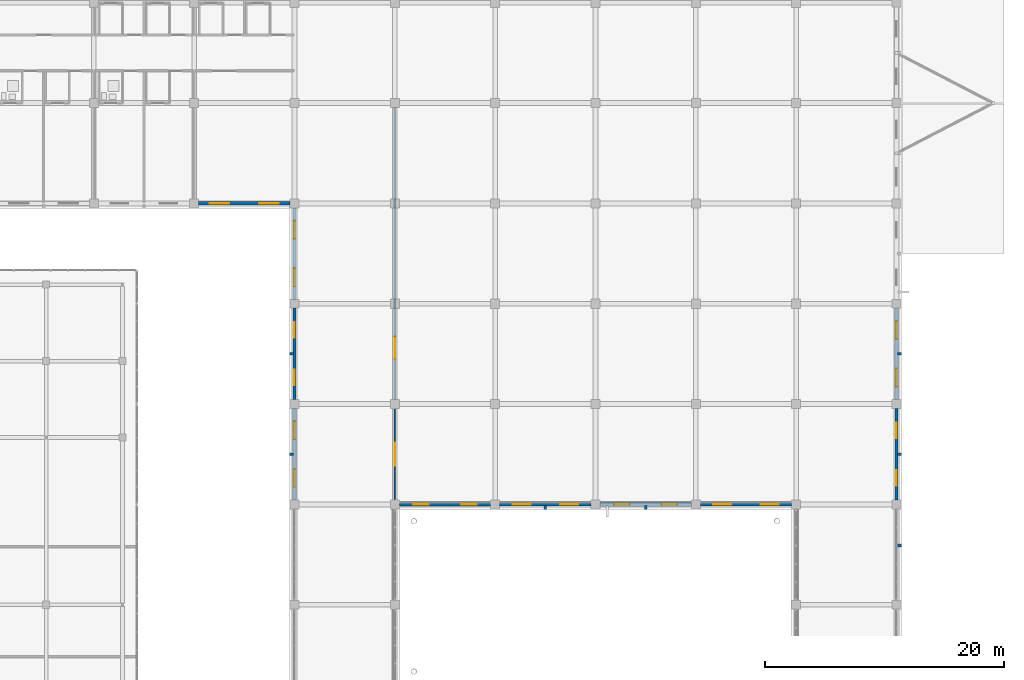
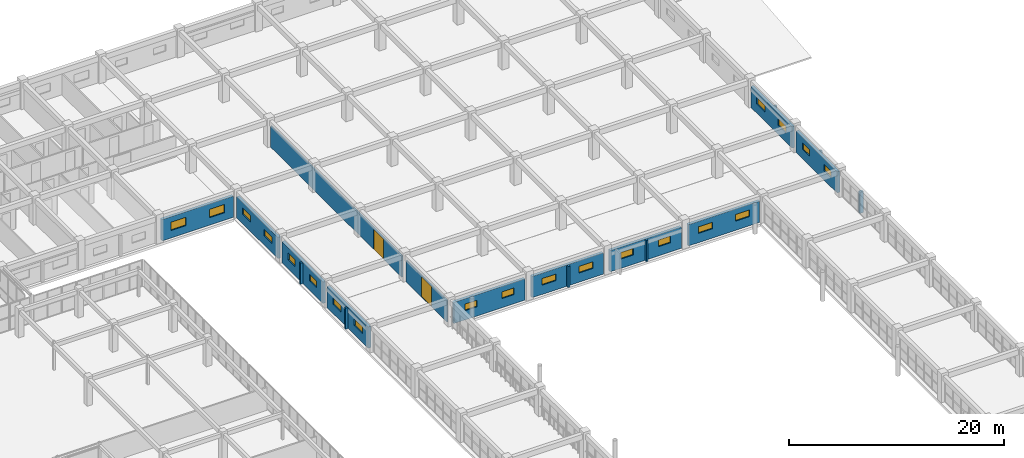
# One storey, part 183 of 200: 20 windows, 19 walls, 2 doors, 22 openings.
"""IFC4 building model written with IfcOpenShell, lengths in metres."""

import ifcopenshell
import ifcopenshell.guid

model = None  # the IFC model being written
_history = None  # IfcOwnerHistory: only IFC2X3 demands one
_inside = {}  # id of a spatial element -> (the spatial element, [elements in it])
_under = {}  # id of a project, library or spatial element -> (it, [spatial elements below it])
_declared = {}  # id of a project -> (the project, [libraries it declares])
_typed = {}  # id of a type object -> (the type object, [elements of that type])
_made_of = {}  # id of a material, layer set ... -> (it, [elements and type objects made of it])


def new_model(schema):
    """Start an empty IFC model of exactly this schema.

    Asked for "IFC4X3", IfcOpenShell would pick the latest addendum, in which some entities
    have other attributes; the version numbers below select the first issue.
    IFC2X3 requires an IfcOwnerHistory on every rooted entity: one is made here for all.
    """
    global model, _history
    if schema == "IFC4X3":
        model = ifcopenshell.file(schema_version=(4, 3, 0, 0))
    else:
        model = ifcopenshell.file(schema=schema)
    _inside.clear()
    _under.clear()
    _declared.clear()
    _typed.clear()
    _made_of.clear()
    _history = None
    if model.schema == "IFC2X3":
        org = make("IfcOrganization", Name="unknown")
        user = make(
            "IfcPersonAndOrganization",
            ThePerson=make("IfcPerson", FamilyName="unknown"),
            TheOrganization=org,
        )
        app = make(
            "IfcApplication",
            ApplicationDeveloper=org,
            Version="unknown",
            ApplicationFullName="unknown",
            ApplicationIdentifier="unknown",
        )
        _history = make(
            "IfcOwnerHistory",
            OwningUser=user,
            OwningApplication=app,
            ChangeAction="ADDED",
            CreationDate=0,
        )
    return model


def make(cls, **values):
    """One entity of the class cls with the attributes given. An attribute that is None is left unset."""
    return model.create_entity(
        cls, **{name: value for name, value in values.items() if value is not None}
    )


def rooted(cls, **values):
    """An entity with a GlobalId (a new one), such as an element, a storey or a relation."""
    return make(cls, GlobalId=ifcopenshell.guid.new(), OwnerHistory=_history, **values)


def si_unit(unit_type, name, prefix=None):
    """IfcSIUnit, for example si_unit("LENGTHUNIT", "METRE", prefix="MILLI")."""
    return make("IfcSIUnit", UnitType=unit_type, Prefix=prefix, Name=name)


def assignment(units):
    """IfcUnitAssignment: the units of a project."""
    return None if units is None else make("IfcUnitAssignment", Units=units)


def point(xyz):
    """IfcCartesianPoint."""
    return None if xyz is None else make("IfcCartesianPoint", Coordinates=xyz)


def direction(xyz):
    """IfcDirection."""
    return None if xyz is None else make("IfcDirection", DirectionRatios=xyz)


def frame(location, z_axis=None, x_axis=None):
    """IfcAxis2Placement3D, a coordinate frame: its origin and axes. An axis left out is left unset."""
    return make(
        "IfcAxis2Placement3D",
        Location=point(location),
        Axis=direction(z_axis),
        RefDirection=direction(x_axis),
    )


def frame_2d(location, x_axis=None):
    """IfcAxis2Placement2D, a coordinate frame in the plane: its origin and x axis."""
    return make(
        "IfcAxis2Placement2D", Location=point(location), RefDirection=direction(x_axis)
    )


def origin():
    """The frame at (0, 0, 0) with its axes left unset."""
    return frame((0.0, 0.0, 0.0))


def place(relative_to, where):
    """IfcLocalPlacement: puts the frame where relative to a parent placement (None: the world)."""
    return make(
        "IfcLocalPlacement", PlacementRelTo=relative_to, RelativePlacement=where
    )


def context(
    kind, dimensions, precision=None, world=None, true_north=None, identifier=None
):
    """IfcGeometricRepresentationContext, for example the 3D "Model" context."""
    return make(
        "IfcGeometricRepresentationContext",
        ContextIdentifier=identifier,
        ContextType=kind,
        CoordinateSpaceDimension=dimensions,
        Precision=precision,
        WorldCoordinateSystem=world,
        TrueNorth=true_north,
    )


def subcontext(parent, identifier, kind, view, scale=None):
    """IfcGeometricRepresentationSubContext, for example "Body" below "Model"."""
    return make(
        "IfcGeometricRepresentationSubContext",
        ContextIdentifier=identifier,
        ContextType=kind,
        ParentContext=parent,
        TargetScale=scale,
        TargetView=view,
    )


def project(units=None, contexts=None):
    """IfcProject with its units and contexts."""
    return rooted(
        "IfcProject",
        Name="project",
        RepresentationContexts=contexts,
        UnitsInContext=assignment(units),
    )


def spatial(cls, under=None, at=None, **own):
    """A site, building, storey or space (cls), placed at a placement, below another one or the project."""
    s = rooted(cls, ObjectPlacement=at, **own)
    if under is not None:
        _under.setdefault(under.id(), (under, []))[1].append(s)
    return s


def profile(cls, at=None, kind="AREA", **sizes):
    """A parametric profile (cls). Its sizes go by their IFC names, for example OverallWidth=200.0."""
    return make(cls, ProfileType=kind, Position=at, **sizes)


def rectangle(**sizes):
    """IfcRectangleProfileDef."""
    return profile("IfcRectangleProfileDef", **sizes)


def extrude(swept, where, along, depth):
    """IfcExtrudedAreaSolid: the profile swept, set in the frame where, extruded along a direction by depth."""
    return make(
        "IfcExtrudedAreaSolid",
        SweptArea=swept,
        Position=where,
        ExtrudedDirection=direction(along),
        Depth=depth,
    )


def shape(context_of_items, identifier, shape_type, items):
    """IfcShapeRepresentation: the items that make up one representation, for example the "Body"."""
    return make(
        "IfcShapeRepresentation",
        ContextOfItems=context_of_items,
        RepresentationIdentifier=identifier,
        RepresentationType=shape_type,
        Items=items,
    )


def material(Name=None, Category=None):
    """IfcMaterial."""
    return make("IfcMaterial", Name=Name, Category=Category)


def layer(
    of_material, thickness, ventilated=None, Name=None, Category=None, Priority=None
):
    """IfcMaterialLayer: one layer of a wall or slab, of a material (None: an air gap)."""
    return make(
        "IfcMaterialLayer",
        Material=of_material,
        LayerThickness=thickness,
        IsVentilated=ventilated,
        Name=Name,
        Category=Category,
        Priority=Priority,
    )


def layer_set(layers, Name=None):
    """IfcMaterialLayerSet."""
    return make("IfcMaterialLayerSet", MaterialLayers=layers, LayerSetName=Name)


def made_of(thing, what):
    """Note that an element or type object is made of a material, layer set ...; save() writes the relation."""
    if what is not None:
        _made_of.setdefault(what.id(), (what, []))[1].append(thing)
    return thing


def type_object(cls, material=None, **own):
    """A type object (cls), such as IfcWallType, which elements share."""
    return made_of(rooted(cls, **own), material)


def element(
    cls,
    number,
    at=None,
    inside=None,
    cuts=None,
    type_object=None,
    material=None,
    context=None,
    identifier="Body",
    shape_type=None,
    held_by="IfcProductDefinitionShape",
    body=None,
    shapes=None,
    **own,
):
    """One element of the class cls, such as IfcWall. Its Tag is "e" and its number.

    at: its placement. inside: the storey or other place that contains it. cuts: it is an
    opening in that element (IfcRelVoidsElement). A single representation is given by context,
    identifier, shape_type and body (its items); several are given by shapes. held_by: the class
    of the entity that holds the representations. save() writes the other relations.
    """
    e = rooted(cls, Tag="e%d" % number, ObjectPlacement=at, **own)
    if body is not None:
        shapes = [shape(context, identifier, shape_type, body)]
    if shapes is not None:
        e.Representation = make(held_by, Representations=shapes)
    if inside is not None:
        _inside.setdefault(inside.id(), (inside, []))[1].append(e)
    if cuts is not None:
        rooted(
            "IfcRelVoidsElement", RelatingBuildingElement=cuts, RelatedOpeningElement=e
        )
    if type_object is not None:
        _typed.setdefault(type_object.id(), (type_object, []))[1].append(e)
    return made_of(e, material)


def fill(opening, filler):
    """IfcRelFillsElement: the door or window that sits in an opening."""
    return rooted(
        "IfcRelFillsElement",
        RelatingOpeningElement=opening,
        RelatedBuildingElement=filler,
    )


def aggregate(whole, parts):
    """IfcRelAggregates: a whole, such as a stair, and the parts it consists of."""
    return rooted("IfcRelAggregates", RelatingObject=whole, RelatedObjects=parts)


def save(model, path):
    """Write the relations noted so far, then the file.

    IfcRelAggregates (storeys below a building ...), IfcRelContainedInSpatialStructure (elements
    in a storey), IfcRelDefinesByType, IfcRelAssociatesMaterial and IfcRelDeclares: one each for
    every whole, place, type object, material and project.
    """
    for whole, parts in _under.values():
        aggregate(whole, parts)
    for where, things in _inside.values():
        rooted(
            "IfcRelContainedInSpatialStructure",
            RelatedElements=things,
            RelatingStructure=where,
        )
    for kind, things in _typed.values():
        rooted("IfcRelDefinesByType", RelatedObjects=things, RelatingType=kind)
    for what, things in _made_of.values():
        rooted("IfcRelAssociatesMaterial", RelatedObjects=things, RelatingMaterial=what)
    for by, libraries in _declared.values():
        rooted("IfcRelDeclares", RelatingContext=by, RelatedDefinitions=libraries)
    model.write(path)


model = new_model("IFC4")

# Units and contexts
model_context = context("Model", 3, precision=1e-05, world=origin(), true_north=direction((0.0, 1.0)))
body_context = subcontext(model_context, "Body", "Model", "MODEL_VIEW")
ifc_project = project(units=[si_unit("LENGTHUNIT", "METRE"), si_unit("AREAUNIT", "SQUARE_METRE"), si_unit("VOLUMEUNIT", "CUBIC_METRE"), si_unit("PLANEANGLEUNIT", "RADIAN"), si_unit("MASSUNIT", "GRAM", prefix="KILO")], contexts=[model_context])

# Site, building, storey
site_placement = place(None, origin())
site = spatial("IfcSite", under=ifc_project, at=site_placement, CompositionType="ELEMENT")
building_placement = place(site_placement, origin())
building = spatial("IfcBuilding", under=site, at=building_placement, Name="Trelvath General Hospital", CompositionType="ELEMENT")
storey_placement = place(building_placement, frame((0.0, 0.0, 4.800048828125)))
storey = spatial("IfcBuildingStorey", under=building, at=storey_placement, Name="L01", CompositionType="ELEMENT", Elevation=4.800048828125)

# Walls
ifc_material_1 = material(Name="Precast concrete C40/50", Category="concrete")
ifc_layer_1 = layer(ifc_material_1, 0.199951171875)
ifc_layer_set_1 = layer_set([ifc_layer_1], Name="Precast concrete C40/50")
wall_type_1 = type_object("IfcWallType", Name="BriseSoleilRib 200", PredefinedType="ELEMENTEDWALL", material=ifc_layer_set_1)
for number, where, z_axis, x_axis, name in (
    (1, (134.324951171875, 71.39990234375, 0.0), (0.0, 0.0, 1.0), (-1.0, 0.0, 0.0), "Precast Concrete Brise-Soleil Rib Fin L01-130"),
    (2, (134.324951171875, 79.800048828125, 0.0), (0.0, 0.0, 1.0), (-1.0, 0.0, 0.0), "Precast Concrete Brise-Soleil Rib Fin L01-131"),
):
    element("IfcWall", number, at=place(storey_placement, frame(where, z_axis=z_axis, x_axis=x_axis)), inside=storey, type_object=wall_type_1, Name=name, PredefinedType="ELEMENTEDWALL", context=body_context, shape_type="SweptSolid", body=[
        extrude(rectangle(XDim=0.33984375, YDim=0.199951171875, at=frame_2d((0.169921875, 0.0))), origin(), (0.0, 0.0, 1.0), 2.39990234375),
    ])
for number, where, z_axis, x_axis, name in (
    (3, (155.39990234375, 67.125, 0.0), (0.0, 0.0, 1.0), (0.0, -1.0, 0.0), "Precast Concrete Brise-Soleil Rib Fin L01-137"),
    (4, (163.800048828125, 67.125, 0.0), (0.0, 0.0, 1.0), (0.0, -1.0, 0.0), "Precast Concrete Brise-Soleil Rib Fin L01-141"),
    (5, (184.875, 71.39990234375, 0.0), (0.0, 0.0, 1.0), (1.0, 0.0, 0.0), "Precast Concrete Brise-Soleil Rib Fin L01-152"),
    (6, (184.875, 79.800048828125, 0.0), (0.0, 0.0, 1.0), (1.0, 0.0, 0.0), "Precast Concrete Brise-Soleil Rib Fin L01-153"),
):
    element("IfcWall", number, at=place(storey_placement, frame(where, z_axis=z_axis, x_axis=x_axis)), inside=storey, type_object=wall_type_1, Name=name, PredefinedType="ELEMENTEDWALL", context=body_context, shape_type="SweptSolid", body=[
        extrude(rectangle(XDim=0.340087890625, YDim=0.199951171875, at=frame_2d((0.169921875, 0.0))), origin(), (0.0, 0.0, 1.0), 2.39990234375),
    ])

# Wall, opening, door
ifc_material_2 = material(Name="Gypsum acoustic steel-stud partition", Category="steel")
ifc_layer_2 = layer(ifc_material_2, 0.14990234375)
ifc_layer_set_2 = layer_set([ifc_layer_2], Name="Gypsum acoustic steel-stud partition")
wall_type_2 = type_object("IfcWallType", Name="ClinicalPartition 150", PredefinedType="PARTITIONING", material=ifc_layer_set_2)
wall_1_placement = place(storey_placement, frame((142.800048828125, 67.60009765625, 0.0), z_axis=(0.0, 0.0, 1.0), x_axis=(0.0, 1.0, 0.0)))
wall_1 = element("IfcWall", 7, at=wall_1_placement, inside=storey, type_object=wall_type_2, Name="Gallery L01 Partition L01-670", PredefinedType="PARTITIONING", context=body_context, shape_type="SweptSolid", body=[
    extrude(rectangle(XDim=7.599853515625, YDim=0.14990234375, at=frame_2d((3.7998046875, 0.0))), origin(), (0.0, 0.0, 1.0), 2.39990234375),
])
opening_1_placement = place(wall_1_placement, frame((2.85009765625, 0.0, 0.0)))
opening_1 = element("IfcOpeningElement", 8, at=opening_1_placement, cuts=wall_1, Name="Opening D-1-0620", PredefinedType="OPENING", context=body_context, shape_type="SweptSolid", body=[
    extrude(rectangle(XDim=1.89990234375, YDim=2.320068359375, at=frame_2d((0.949951171875, 1.16015625))), frame((0.0, 0.0849609375, 0.0), z_axis=(0.0, -1.0, 0.0), x_axis=(1.0, 0.0, 0.0)), (0.0, 0.0, 1.0), 0.169921875),
])
ifc_material_3 = material(Name="Thermally broken glazed aluminium pair", Category="aluminium")
door_type_1 = type_object("IfcDoorType", Name="Door BridgeEntry 1900x2400", OperationType="DOUBLE_SWING_LEFT", PredefinedType="DOOR", material=ifc_material_3)
door_1_placement = place(opening_1_placement, origin())
door_1 = element("IfcDoor", 9, at=door_1_placement, inside=storey, type_object=door_type_1, Name="Gallery L01 Door L01-620", OperationType="DOUBLE_SWING_LEFT", OverallHeight=2.320068359375, OverallWidth=1.89990234375, PredefinedType="DOOR", context=body_context, shape_type="SweptSolid", body=[
    extrude(rectangle(XDim=1.89990234375, YDim=2.320068359375, at=frame_2d((0.949951171875, 1.16015625))), frame((0.0, 0.02490234375, 0.0), z_axis=(0.0, -1.0, 0.0), x_axis=(1.0, 0.0, 0.0)), (0.0, 0.0, 1.0), 0.050048828125),
])
fill(opening_1, door_1)

wall_2_placement = place(storey_placement, frame((142.800048828125, 76.0, 0.0), z_axis=(0.0, 0.0, 1.0), x_axis=(0.0, 1.0, 0.0)))
wall_2 = element("IfcWall", 10, at=wall_2_placement, inside=storey, type_object=wall_type_2, Name="Urgent Care L01 Partition L01-671", PredefinedType="PARTITIONING", context=body_context, shape_type="SweptSolid", body=[
    extrude(rectangle(XDim=24.39990234375, YDim=0.14990234375, at=frame_2d((12.199951171875, 0.0))), origin(), (0.0, 0.0, 1.0), 2.39990234375),
])
opening_2_placement = place(wall_2_placement, frame((3.39990234375, 0.0, 0.0)))
opening_2 = element("IfcOpeningElement", 11, at=opening_2_placement, cuts=wall_2, Name="Opening D-1-0621", PredefinedType="OPENING", context=body_context, shape_type="SweptSolid", body=[
    extrude(rectangle(XDim=1.85009765625, YDim=2.300048828125, at=frame_2d((0.925048828125, 1.14990234375))), frame((0.0, 0.0849609375, 0.0), z_axis=(0.0, -1.0, 0.0), x_axis=(1.0, 0.0, 0.0)), (0.0, 0.0, 1.0), 0.169921875),
])
ifc_material_4 = material(Name="Fire-rated steel cross-corridor pair", Category="steel")
door_type_2 = type_object("IfcDoorType", Name="Door SmokeCross 1850x2300", OperationType="DOUBLE_SWING_LEFT", PredefinedType="DOOR", material=ifc_material_4)
door_2_placement = place(opening_2_placement, origin())
door_2 = element("IfcDoor", 12, at=door_2_placement, inside=storey, type_object=door_type_2, Name="Urgent Care L01 Door L01-621", OperationType="DOUBLE_SWING_LEFT", OverallHeight=2.300048828125, OverallWidth=1.85009765625, PredefinedType="DOOR", context=body_context, shape_type="SweptSolid", body=[
    extrude(rectangle(XDim=1.85009765625, YDim=2.300048828125, at=frame_2d((0.925048828125, 1.14990234375))), frame((0.0, 0.02490234375, 0.0), z_axis=(0.0, -1.0, 0.0), x_axis=(1.0, 0.0, 0.0)), (0.0, 0.0, 1.0), 0.050048828125),
])
fill(opening_2, door_2)

# Wall, openings, windows
ifc_material_5 = material(Name="Concrete C35/45", Category="concrete")
ifc_layer_3 = layer(ifc_material_5, 0.2900390625)
ifc_layer_set_3 = layer_set([ifc_layer_3], Name="Concrete C35/45")
wall_type_3 = type_object("IfcWallType", Name="ExtBushHammeredWall 290", PredefinedType="SOLIDWALL", material=ifc_layer_set_3)
wall_3_placement = place(storey_placement, frame((134.030029296875, 92.39990234375, 0.0), z_axis=(0.0, 0.0, 1.0), x_axis=(-1.0, 0.0, 0.0)))
wall_3 = element("IfcWall", 13, at=wall_3_placement, inside=storey, type_object=wall_type_3, Name="Exterior Concrete Wall L01-188", PredefinedType="SOLIDWALL", context=body_context, shape_type="SweptSolid", body=[
    extrude(rectangle(XDim=7.659912109375, YDim=0.2900390625, at=frame_2d((3.830078125, 0.0))), origin(), (0.0, 0.0, 1.0), 2.419921875),
])
opening_3_placement = place(wall_3_placement, frame((0.951904296875, 0.0, 0.85009765625)))
opening_3 = element("IfcOpeningElement", 14, at=opening_3_placement, cuts=wall_3, Name="Opening WN-1-277", PredefinedType="OPENING", context=body_context, shape_type="SweptSolid", body=[
    extrude(rectangle(XDim=1.6201171875, YDim=0.949951171875, at=frame_2d((0.81005859375, 0.47509765625))), frame((0.0, 0.155029296875, 0.0), z_axis=(0.0, -1.0, 0.0), x_axis=(1.0, 0.0, 0.0)), (0.0, 0.0, 1.0), 0.31005859375),
])
opening_4_placement = place(wall_3_placement, frame((5.088134765625, 0.0, 0.85009765625)))
opening_4 = element("IfcOpeningElement", 15, at=opening_4_placement, cuts=wall_3, Name="Opening WN-1-278", PredefinedType="OPENING", context=body_context, shape_type="SweptSolid", body=[
    extrude(rectangle(XDim=1.6201171875, YDim=0.949951171875, at=frame_2d((0.81005859375, 0.47509765625))), frame((0.0, 0.155029296875, 0.0), z_axis=(0.0, -1.0, 0.0), x_axis=(1.0, 0.0, 0.0)), (0.0, 0.0, 1.0), 0.31005859375),
])
ifc_material_6 = material(Name="Low-E laminated glass", Category="glass")
window_type_1 = type_object("IfcWindowType", Name="Window EmergencyClere 1620x950", PartitioningType="DOUBLE_PANEL_VERTICAL", PredefinedType="WINDOW", material=ifc_material_6)
window_1_placement = place(opening_3_placement, origin())
window_1 = element("IfcWindow", 16, at=window_1_placement, inside=storey, type_object=window_type_1, Name="Solar Reveal Window L01-277", OverallHeight=0.949951171875, OverallWidth=1.6201171875, PartitioningType="SINGLE_PANEL", PredefinedType="WINDOW", context=body_context, shape_type="SweptSolid", body=[
    extrude(rectangle(XDim=1.6201171875, YDim=0.949951171875, at=frame_2d((0.81005859375, 0.47509765625))), frame((0.0, 0.030029296875, 0.0), z_axis=(0.0, -1.0, 0.0), x_axis=(1.0, 0.0, 0.0)), (0.0, 0.0, 1.0), 0.06005859375),
])
fill(opening_3, window_1)
window_2_placement = place(opening_4_placement, origin())
window_2 = element("IfcWindow", 17, at=window_2_placement, inside=storey, type_object=window_type_1, Name="Solar Reveal Window L01-278", OverallHeight=0.949951171875, OverallWidth=1.6201171875, PartitioningType="SINGLE_PANEL", PredefinedType="WINDOW", context=body_context, shape_type="SweptSolid", body=[
    extrude(rectangle(XDim=1.6201171875, YDim=0.949951171875, at=frame_2d((0.81005859375, 0.47509765625))), frame((0.0, 0.030029296875, 0.0), z_axis=(0.0, -1.0, 0.0), x_axis=(1.0, 0.0, 0.0)), (0.0, 0.0, 1.0), 0.06005859375),
])
fill(opening_4, window_2)

wall_4_placement = place(storey_placement, frame((134.39990234375, 67.570068359375, 0.0), z_axis=(0.0, 0.0, 1.0), x_axis=(0.0, 1.0, 0.0)))
wall_4 = element("IfcWall", 18, at=wall_4_placement, inside=storey, type_object=wall_type_3, Name="Exterior Concrete Wall L01-191", PredefinedType="SOLIDWALL", context=body_context, shape_type="SweptSolid", body=[
    extrude(rectangle(XDim=7.659912109375, YDim=0.2900390625, at=frame_2d((3.830078125, 0.0))), origin(), (0.0, 0.0, 1.0), 2.419921875),
])
opening_5_placement = place(wall_4_placement, frame((1.08837890625, 0.0, 1.050048828125)))
opening_5 = element("IfcOpeningElement", 19, at=opening_5_placement, cuts=wall_4, Name="Opening WN-1-283", PredefinedType="OPENING", context=body_context, shape_type="SweptSolid", body=[
    extrude(rectangle(XDim=1.5, YDim=0.75, at=frame_2d((0.75, 0.375))), frame((0.0, 0.155029296875, 0.0), z_axis=(0.0, -1.0, 0.0), x_axis=(1.0, 0.0, 0.0)), (0.0, 0.0, 1.0), 0.31005859375),
])
opening_6_placement = place(wall_4_placement, frame((5.071533203125, 0.0, 1.050048828125)))
opening_6 = element("IfcOpeningElement", 20, at=opening_6_placement, cuts=wall_4, Name="Opening WN-1-284", PredefinedType="OPENING", context=body_context, shape_type="SweptSolid", body=[
    extrude(rectangle(XDim=1.5, YDim=0.75, at=frame_2d((0.75, 0.375))), frame((0.0, 0.155029296875, 0.0), z_axis=(0.0, -1.0, 0.0), x_axis=(1.0, 0.0, 0.0)), (0.0, 0.0, 1.0), 0.31005859375),
])
ifc_material_7 = material(Name="Low-E laminated glass", Category="glass")
window_type_2 = type_object("IfcWindowType", Name="Window InterstitialVent 1500x750", PartitioningType="DOUBLE_PANEL_HORIZONTAL", PredefinedType="WINDOW", material=ifc_material_7)
window_3_placement = place(opening_5_placement, origin())
window_3 = element("IfcWindow", 21, at=window_3_placement, inside=storey, type_object=window_type_2, Name="Solar Reveal Window L01-283", OverallHeight=0.75, OverallWidth=1.5, PartitioningType="SINGLE_PANEL", PredefinedType="WINDOW", context=body_context, shape_type="SweptSolid", body=[
    extrude(rectangle(XDim=1.5, YDim=0.75, at=frame_2d((0.75, 0.375))), frame((0.0, 0.030029296875, 0.0), z_axis=(0.0, -1.0, 0.0), x_axis=(1.0, 0.0, 0.0)), (0.0, 0.0, 1.0), 0.06005859375),
])
fill(opening_5, window_3)
window_4_placement = place(opening_6_placement, origin())
window_4 = element("IfcWindow", 22, at=window_4_placement, inside=storey, type_object=window_type_2, Name="Solar Reveal Window L01-284", OverallHeight=0.75, OverallWidth=1.5, PartitioningType="SINGLE_PANEL", PredefinedType="WINDOW", context=body_context, shape_type="SweptSolid", body=[
    extrude(rectangle(XDim=1.5, YDim=0.75, at=frame_2d((0.75, 0.375))), frame((0.0, 0.030029296875, 0.0), z_axis=(0.0, -1.0, 0.0), x_axis=(1.0, 0.0, 0.0)), (0.0, 0.0, 1.0), 0.06005859375),
])
fill(opening_6, window_4)

wall_5_placement = place(storey_placement, frame((134.39990234375, 75.969970703125, 0.0), z_axis=(0.0, 0.0, 1.0), x_axis=(0.0, 1.0, 0.0)))
wall_5 = element("IfcWall", 23, at=wall_5_placement, inside=storey, type_object=wall_type_3, Name="Exterior Concrete Wall L01-192", PredefinedType="SOLIDWALL", context=body_context, shape_type="SweptSolid", body=[
    extrude(rectangle(XDim=7.659912109375, YDim=0.2900390625, at=frame_2d((3.830078125, 0.0))), origin(), (0.0, 0.0, 1.0), 2.419921875),
])
opening_7_placement = place(wall_5_placement, frame((1.1884765625, 0.0, 1.050048828125)))
opening_7 = element("IfcOpeningElement", 24, at=opening_7_placement, cuts=wall_5, Name="Opening WN-1-285", PredefinedType="OPENING", context=body_context, shape_type="SweptSolid", body=[
    extrude(rectangle(XDim=1.300048828125, YDim=0.75, at=frame_2d((0.64990234375, 0.375))), frame((0.0, 0.155029296875, 0.0), z_axis=(0.0, -1.0, 0.0), x_axis=(1.0, 0.0, 0.0)), (0.0, 0.0, 1.0), 0.31005859375),
])
opening_8_placement = place(wall_5_placement, frame((5.171630859375, 0.0, 1.050048828125)))
opening_8 = element("IfcOpeningElement", 25, at=opening_8_placement, cuts=wall_5, Name="Opening WN-1-286", PredefinedType="OPENING", context=body_context, shape_type="SweptSolid", body=[
    extrude(rectangle(XDim=1.300048828125, YDim=0.75, at=frame_2d((0.64990234375, 0.375))), frame((0.0, 0.155029296875, 0.0), z_axis=(0.0, -1.0, 0.0), x_axis=(1.0, 0.0, 0.0)), (0.0, 0.0, 1.0), 0.31005859375),
])
ifc_material_8 = material(Name="Low-E laminated glass", Category="glass")
window_type_3 = type_object("IfcWindowType", Name="Window InterstitialVent 1300x750", PartitioningType="DOUBLE_PANEL_HORIZONTAL", PredefinedType="WINDOW", material=ifc_material_8)
window_5_placement = place(opening_7_placement, origin())
window_5 = element("IfcWindow", 26, at=window_5_placement, inside=storey, type_object=window_type_3, Name="Solar Reveal Window L01-285", OverallHeight=0.75, OverallWidth=1.300048828125, PartitioningType="SINGLE_PANEL", PredefinedType="WINDOW", context=body_context, shape_type="SweptSolid", body=[
    extrude(rectangle(XDim=1.300048828125, YDim=0.75, at=frame_2d((0.64990234375, 0.375))), frame((0.0, 0.030029296875, 0.0), z_axis=(0.0, -1.0, 0.0), x_axis=(1.0, 0.0, 0.0)), (0.0, 0.0, 1.0), 0.06005859375),
])
fill(opening_7, window_5)
window_6_placement = place(opening_8_placement, origin())
window_6 = element("IfcWindow", 27, at=window_6_placement, inside=storey, type_object=window_type_3, Name="Solar Reveal Window L01-286", OverallHeight=0.75, OverallWidth=1.300048828125, PartitioningType="SINGLE_PANEL", PredefinedType="WINDOW", context=body_context, shape_type="SweptSolid", body=[
    extrude(rectangle(XDim=1.300048828125, YDim=0.75, at=frame_2d((0.64990234375, 0.375))), frame((0.0, 0.030029296875, 0.0), z_axis=(0.0, -1.0, 0.0), x_axis=(1.0, 0.0, 0.0)), (0.0, 0.0, 1.0), 0.06005859375),
])
fill(opening_8, window_6)

wall_6_placement = place(storey_placement, frame((134.39990234375, 84.3701171875, 0.0), z_axis=(0.0, 0.0, 1.0), x_axis=(0.0, 1.0, 0.0)))
wall_6 = element("IfcWall", 28, at=wall_6_placement, inside=storey, type_object=wall_type_3, Name="Exterior Concrete Wall L01-193", PredefinedType="SOLIDWALL", context=body_context, shape_type="SweptSolid", body=[
    extrude(rectangle(XDim=7.659912109375, YDim=0.2900390625, at=frame_2d((3.830078125, 0.0))), origin(), (0.0, 0.0, 1.0), 2.419921875),
])
opening_9_placement = place(wall_6_placement, frame((1.08837890625, 0.0, 1.050048828125)))
opening_9 = element("IfcOpeningElement", 29, at=opening_9_placement, cuts=wall_6, Name="Opening WN-1-287", PredefinedType="OPENING", context=body_context, shape_type="SweptSolid", body=[
    extrude(rectangle(XDim=1.5, YDim=0.75, at=frame_2d((0.75, 0.375))), frame((0.0, 0.155029296875, 0.0), z_axis=(0.0, -1.0, 0.0), x_axis=(1.0, 0.0, 0.0)), (0.0, 0.0, 1.0), 0.31005859375),
])
opening_10_placement = place(wall_6_placement, frame((5.071533203125, 0.0, 1.050048828125)))
opening_10 = element("IfcOpeningElement", 30, at=opening_10_placement, cuts=wall_6, Name="Opening WN-1-288", PredefinedType="OPENING", context=body_context, shape_type="SweptSolid", body=[
    extrude(rectangle(XDim=1.5, YDim=0.75, at=frame_2d((0.75, 0.375))), frame((0.0, 0.155029296875, 0.0), z_axis=(0.0, -1.0, 0.0), x_axis=(1.0, 0.0, 0.0)), (0.0, 0.0, 1.0), 0.31005859375),
])
window_7_placement = place(opening_9_placement, origin())
window_7 = element("IfcWindow", 31, at=window_7_placement, inside=storey, type_object=window_type_2, Name="Solar Reveal Window L01-287", OverallHeight=0.75, OverallWidth=1.5, PartitioningType="SINGLE_PANEL", PredefinedType="WINDOW", context=body_context, shape_type="SweptSolid", body=[
    extrude(rectangle(XDim=1.5, YDim=0.75, at=frame_2d((0.75, 0.375))), frame((0.0, 0.030029296875, 0.0), z_axis=(0.0, -1.0, 0.0), x_axis=(1.0, 0.0, 0.0)), (0.0, 0.0, 1.0), 0.06005859375),
])
fill(opening_9, window_7)
window_8_placement = place(opening_10_placement, origin())
window_8 = element("IfcWindow", 32, at=window_8_placement, inside=storey, type_object=window_type_2, Name="Solar Reveal Window L01-288", OverallHeight=0.75, OverallWidth=1.5, PartitioningType="SINGLE_PANEL", PredefinedType="WINDOW", context=body_context, shape_type="SweptSolid", body=[
    extrude(rectangle(XDim=1.5, YDim=0.75, at=frame_2d((0.75, 0.375))), frame((0.0, 0.030029296875, 0.0), z_axis=(0.0, -1.0, 0.0), x_axis=(1.0, 0.0, 0.0)), (0.0, 0.0, 1.0), 0.06005859375),
])
fill(opening_10, window_8)

wall_7_placement = place(storey_placement, frame((150.830078125, 67.199951171875, 0.0), z_axis=(0.0, 0.0, 1.0), x_axis=(-1.0, 0.0, 0.0)))
wall_7 = element("IfcWall", 33, at=wall_7_placement, inside=storey, type_object=wall_type_3, Name="Exterior Concrete Wall L01-197", PredefinedType="SOLIDWALL", context=body_context, shape_type="SweptSolid", body=[
    extrude(rectangle(XDim=7.66015625, YDim=0.2900390625, at=frame_2d((3.830078125, 0.0))), origin(), (0.0, 0.0, 1.0), 2.419921875),
])
opening_11_placement = place(wall_7_placement, frame((1.1884765625, 0.0, 1.050048828125)))
opening_11 = element("IfcOpeningElement", 34, at=opening_11_placement, cuts=wall_7, Name="Opening WN-1-295", PredefinedType="OPENING", context=body_context, shape_type="SweptSolid", body=[
    extrude(rectangle(XDim=1.300048828125, YDim=0.75, at=frame_2d((0.64990234375, 0.375))), frame((0.0, 0.155029296875, 0.0), z_axis=(0.0, -1.0, 0.0), x_axis=(1.0, 0.0, 0.0)), (0.0, 0.0, 1.0), 0.31005859375),
])
opening_12_placement = place(wall_7_placement, frame((5.171630859375, 0.0, 1.050048828125)))
opening_12 = element("IfcOpeningElement", 35, at=opening_12_placement, cuts=wall_7, Name="Opening WN-1-296", PredefinedType="OPENING", context=body_context, shape_type="SweptSolid", body=[
    extrude(rectangle(XDim=1.300048828125, YDim=0.75, at=frame_2d((0.64990234375, 0.375))), frame((0.0, 0.155029296875, 0.0), z_axis=(0.0, -1.0, 0.0), x_axis=(1.0, 0.0, 0.0)), (0.0, 0.0, 1.0), 0.31005859375),
])
window_9_placement = place(opening_11_placement, origin())
window_9 = element("IfcWindow", 36, at=window_9_placement, inside=storey, type_object=window_type_3, Name="Solar Reveal Window L01-295", OverallHeight=0.75, OverallWidth=1.300048828125, PartitioningType="SINGLE_PANEL", PredefinedType="WINDOW", context=body_context, shape_type="SweptSolid", body=[
    extrude(rectangle(XDim=1.300048828125, YDim=0.75, at=frame_2d((0.64990234375, 0.375))), frame((0.0, 0.030029296875, 0.0), z_axis=(0.0, -1.0, 0.0), x_axis=(1.0, 0.0, 0.0)), (0.0, 0.0, 1.0), 0.06005859375),
])
fill(opening_11, window_9)
window_10_placement = place(opening_12_placement, origin())
window_10 = element("IfcWindow", 37, at=window_10_placement, inside=storey, type_object=window_type_3, Name="Solar Reveal Window L01-296", OverallHeight=0.75, OverallWidth=1.300048828125, PartitioningType="SINGLE_PANEL", PredefinedType="WINDOW", context=body_context, shape_type="SweptSolid", body=[
    extrude(rectangle(XDim=1.300048828125, YDim=0.75, at=frame_2d((0.64990234375, 0.375))), frame((0.0, 0.030029296875, 0.0), z_axis=(0.0, -1.0, 0.0), x_axis=(1.0, 0.0, 0.0)), (0.0, 0.0, 1.0), 0.06005859375),
])
fill(opening_12, window_10)

wall_8_placement = place(storey_placement, frame((159.22998046875, 67.199951171875, 0.0), z_axis=(0.0, 0.0, 1.0), x_axis=(-1.0, 0.0, 0.0)))
wall_8 = element("IfcWall", 38, at=wall_8_placement, inside=storey, type_object=wall_type_3, Name="Exterior Concrete Wall L01-201", PredefinedType="SOLIDWALL", context=body_context, shape_type="SweptSolid", body=[
    extrude(rectangle(XDim=7.659912109375, YDim=0.2900390625, at=frame_2d((3.830078125, 0.0))), origin(), (0.0, 0.0, 1.0), 2.419921875),
])
opening_13_placement = place(wall_8_placement, frame((1.08837890625, 0.0, 1.050048828125)))
opening_13 = element("IfcOpeningElement", 39, at=opening_13_placement, cuts=wall_8, Name="Opening WN-1-303", PredefinedType="OPENING", context=body_context, shape_type="SweptSolid", body=[
    extrude(rectangle(XDim=1.5, YDim=0.75, at=frame_2d((0.75, 0.375))), frame((0.0, 0.155029296875, 0.0), z_axis=(0.0, -1.0, 0.0), x_axis=(1.0, 0.0, 0.0)), (0.0, 0.0, 1.0), 0.31005859375),
])
opening_14_placement = place(wall_8_placement, frame((5.071533203125, 0.0, 1.050048828125)))
opening_14 = element("IfcOpeningElement", 40, at=opening_14_placement, cuts=wall_8, Name="Opening WN-1-304", PredefinedType="OPENING", context=body_context, shape_type="SweptSolid", body=[
    extrude(rectangle(XDim=1.5, YDim=0.75, at=frame_2d((0.75, 0.375))), frame((0.0, 0.155029296875, 0.0), z_axis=(0.0, -1.0, 0.0), x_axis=(1.0, 0.0, 0.0)), (0.0, 0.0, 1.0), 0.31005859375),
])
window_11_placement = place(opening_13_placement, origin())
window_11 = element("IfcWindow", 41, at=window_11_placement, inside=storey, type_object=window_type_2, Name="Solar Reveal Window L01-303", OverallHeight=0.75, OverallWidth=1.5, PartitioningType="SINGLE_PANEL", PredefinedType="WINDOW", context=body_context, shape_type="SweptSolid", body=[
    extrude(rectangle(XDim=1.5, YDim=0.75, at=frame_2d((0.75, 0.375))), frame((0.0, 0.030029296875, 0.0), z_axis=(0.0, -1.0, 0.0), x_axis=(1.0, 0.0, 0.0)), (0.0, 0.0, 1.0), 0.06005859375),
])
fill(opening_13, window_11)
window_12_placement = place(opening_14_placement, origin())
window_12 = element("IfcWindow", 42, at=window_12_placement, inside=storey, type_object=window_type_2, Name="Solar Reveal Window L01-304", OverallHeight=0.75, OverallWidth=1.5, PartitioningType="SINGLE_PANEL", PredefinedType="WINDOW", context=body_context, shape_type="SweptSolid", body=[
    extrude(rectangle(XDim=1.5, YDim=0.75, at=frame_2d((0.75, 0.375))), frame((0.0, 0.030029296875, 0.0), z_axis=(0.0, -1.0, 0.0), x_axis=(1.0, 0.0, 0.0)), (0.0, 0.0, 1.0), 0.06005859375),
])
fill(opening_14, window_12)

wall_9_placement = place(storey_placement, frame((167.6298828125, 67.199951171875, 0.0), z_axis=(0.0, 0.0, 1.0), x_axis=(-1.0, 0.0, 0.0)))
wall_9 = element("IfcWall", 43, at=wall_9_placement, inside=storey, type_object=wall_type_3, Name="Exterior Concrete Wall L01-205", PredefinedType="SOLIDWALL", context=body_context, shape_type="SweptSolid", body=[
    extrude(rectangle(XDim=7.659912109375, YDim=0.2900390625, at=frame_2d((3.830078125, 0.0))), origin(), (0.0, 0.0, 1.0), 2.419921875),
])
opening_15_placement = place(wall_9_placement, frame((1.1884765625, 0.0, 1.050048828125)))
opening_15 = element("IfcOpeningElement", 44, at=opening_15_placement, cuts=wall_9, Name="Opening WN-1-311", PredefinedType="OPENING", context=body_context, shape_type="SweptSolid", body=[
    extrude(rectangle(XDim=1.300048828125, YDim=0.75, at=frame_2d((0.64990234375, 0.375))), frame((0.0, 0.155029296875, 0.0), z_axis=(0.0, -1.0, 0.0), x_axis=(1.0, 0.0, 0.0)), (0.0, 0.0, 1.0), 0.31005859375),
])
opening_16_placement = place(wall_9_placement, frame((5.171630859375, 0.0, 1.050048828125)))
opening_16 = element("IfcOpeningElement", 45, at=opening_16_placement, cuts=wall_9, Name="Opening WN-1-312", PredefinedType="OPENING", context=body_context, shape_type="SweptSolid", body=[
    extrude(rectangle(XDim=1.300048828125, YDim=0.75, at=frame_2d((0.64990234375, 0.375))), frame((0.0, 0.155029296875, 0.0), z_axis=(0.0, -1.0, 0.0), x_axis=(1.0, 0.0, 0.0)), (0.0, 0.0, 1.0), 0.31005859375),
])
window_13_placement = place(opening_15_placement, origin())
window_13 = element("IfcWindow", 46, at=window_13_placement, inside=storey, type_object=window_type_3, Name="Solar Reveal Window L01-311", OverallHeight=0.75, OverallWidth=1.300048828125, PartitioningType="SINGLE_PANEL", PredefinedType="WINDOW", context=body_context, shape_type="SweptSolid", body=[
    extrude(rectangle(XDim=1.300048828125, YDim=0.75, at=frame_2d((0.64990234375, 0.375))), frame((0.0, 0.030029296875, 0.0), z_axis=(0.0, -1.0, 0.0), x_axis=(1.0, 0.0, 0.0)), (0.0, 0.0, 1.0), 0.06005859375),
])
fill(opening_15, window_13)
window_14_placement = place(opening_16_placement, origin())
window_14 = element("IfcWindow", 47, at=window_14_placement, inside=storey, type_object=window_type_3, Name="Solar Reveal Window L01-312", OverallHeight=0.75, OverallWidth=1.300048828125, PartitioningType="SINGLE_PANEL", PredefinedType="WINDOW", context=body_context, shape_type="SweptSolid", body=[
    extrude(rectangle(XDim=1.300048828125, YDim=0.75, at=frame_2d((0.64990234375, 0.375))), frame((0.0, 0.030029296875, 0.0), z_axis=(0.0, -1.0, 0.0), x_axis=(1.0, 0.0, 0.0)), (0.0, 0.0, 1.0), 0.06005859375),
])
fill(opening_16, window_14)

wall_10_placement = place(storey_placement, frame((176.030029296875, 67.199951171875, 0.0), z_axis=(0.0, 0.0, 1.0), x_axis=(-1.0, 0.0, 0.0)))
wall_10 = element("IfcWall", 48, at=wall_10_placement, inside=storey, type_object=wall_type_3, Name="Exterior Concrete Wall L01-209", PredefinedType="SOLIDWALL", context=body_context, shape_type="SweptSolid", body=[
    extrude(rectangle(XDim=7.659912109375, YDim=0.2900390625, at=frame_2d((3.830078125, 0.0))), origin(), (0.0, 0.0, 1.0), 2.419921875),
])
opening_17_placement = place(wall_10_placement, frame((1.08837890625, 0.0, 1.050048828125)))
opening_17 = element("IfcOpeningElement", 49, at=opening_17_placement, cuts=wall_10, Name="Opening WN-1-319", PredefinedType="OPENING", context=body_context, shape_type="SweptSolid", body=[
    extrude(rectangle(XDim=1.5, YDim=0.75, at=frame_2d((0.75, 0.375))), frame((0.0, 0.155029296875, 0.0), z_axis=(0.0, -1.0, 0.0), x_axis=(1.0, 0.0, 0.0)), (0.0, 0.0, 1.0), 0.31005859375),
])
opening_18_placement = place(wall_10_placement, frame((5.071533203125, 0.0, 1.050048828125)))
opening_18 = element("IfcOpeningElement", 50, at=opening_18_placement, cuts=wall_10, Name="Opening WN-1-320", PredefinedType="OPENING", context=body_context, shape_type="SweptSolid", body=[
    extrude(rectangle(XDim=1.5, YDim=0.75, at=frame_2d((0.75, 0.375))), frame((0.0, 0.155029296875, 0.0), z_axis=(0.0, -1.0, 0.0), x_axis=(1.0, 0.0, 0.0)), (0.0, 0.0, 1.0), 0.31005859375),
])
window_15_placement = place(opening_17_placement, origin())
window_15 = element("IfcWindow", 51, at=window_15_placement, inside=storey, type_object=window_type_2, Name="Solar Reveal Window L01-319", OverallHeight=0.75, OverallWidth=1.5, PartitioningType="SINGLE_PANEL", PredefinedType="WINDOW", context=body_context, shape_type="SweptSolid", body=[
    extrude(rectangle(XDim=1.5, YDim=0.75, at=frame_2d((0.75, 0.375))), frame((0.0, 0.030029296875, 0.0), z_axis=(0.0, -1.0, 0.0), x_axis=(1.0, 0.0, 0.0)), (0.0, 0.0, 1.0), 0.06005859375),
])
fill(opening_17, window_15)
window_16_placement = place(opening_18_placement, origin())
window_16 = element("IfcWindow", 52, at=window_16_placement, inside=storey, type_object=window_type_2, Name="Solar Reveal Window L01-320", OverallHeight=0.75, OverallWidth=1.5, PartitioningType="SINGLE_PANEL", PredefinedType="WINDOW", context=body_context, shape_type="SweptSolid", body=[
    extrude(rectangle(XDim=1.5, YDim=0.75, at=frame_2d((0.75, 0.375))), frame((0.0, 0.030029296875, 0.0), z_axis=(0.0, -1.0, 0.0), x_axis=(1.0, 0.0, 0.0)), (0.0, 0.0, 1.0), 0.06005859375),
])
fill(opening_18, window_16)

wall_11_placement = place(storey_placement, frame((184.800048828125, 75.22998046875, 0.0), z_axis=(0.0, 0.0, 1.0), x_axis=(0.0, -1.0, 0.0)))
wall_11 = element("IfcWall", 53, at=wall_11_placement, inside=storey, type_object=wall_type_3, Name="Exterior Concrete Wall L01-213", PredefinedType="SOLIDWALL", context=body_context, shape_type="SweptSolid", body=[
    extrude(rectangle(XDim=7.659912109375, YDim=0.2900390625, at=frame_2d((3.830078125, 0.0))), origin(), (0.0, 0.0, 1.0), 2.419921875),
])
opening_19_placement = place(wall_11_placement, frame((1.1884765625, 0.0, 1.050048828125)))
opening_19 = element("IfcOpeningElement", 54, at=opening_19_placement, cuts=wall_11, Name="Opening WN-1-327", PredefinedType="OPENING", context=body_context, shape_type="SweptSolid", body=[
    extrude(rectangle(XDim=1.300048828125, YDim=0.75, at=frame_2d((0.64990234375, 0.375))), frame((0.0, 0.155029296875, 0.0), z_axis=(0.0, -1.0, 0.0), x_axis=(1.0, 0.0, 0.0)), (0.0, 0.0, 1.0), 0.31005859375),
])
opening_20_placement = place(wall_11_placement, frame((5.171630859375, 0.0, 1.050048828125)))
opening_20 = element("IfcOpeningElement", 55, at=opening_20_placement, cuts=wall_11, Name="Opening WN-1-328", PredefinedType="OPENING", context=body_context, shape_type="SweptSolid", body=[
    extrude(rectangle(XDim=1.300048828125, YDim=0.75, at=frame_2d((0.64990234375, 0.375))), frame((0.0, 0.155029296875, 0.0), z_axis=(0.0, -1.0, 0.0), x_axis=(1.0, 0.0, 0.0)), (0.0, 0.0, 1.0), 0.31005859375),
])
window_17_placement = place(opening_19_placement, origin())
window_17 = element("IfcWindow", 56, at=window_17_placement, inside=storey, type_object=window_type_3, Name="Solar Reveal Window L01-327", OverallHeight=0.75, OverallWidth=1.300048828125, PartitioningType="SINGLE_PANEL", PredefinedType="WINDOW", context=body_context, shape_type="SweptSolid", body=[
    extrude(rectangle(XDim=1.300048828125, YDim=0.75, at=frame_2d((0.64990234375, 0.375))), frame((0.0, 0.030029296875, 0.0), z_axis=(0.0, -1.0, 0.0), x_axis=(1.0, 0.0, 0.0)), (0.0, 0.0, 1.0), 0.06005859375),
])
fill(opening_19, window_17)
window_18_placement = place(opening_20_placement, origin())
window_18 = element("IfcWindow", 57, at=window_18_placement, inside=storey, type_object=window_type_3, Name="Solar Reveal Window L01-328", OverallHeight=0.75, OverallWidth=1.300048828125, PartitioningType="SINGLE_PANEL", PredefinedType="WINDOW", context=body_context, shape_type="SweptSolid", body=[
    extrude(rectangle(XDim=1.300048828125, YDim=0.75, at=frame_2d((0.64990234375, 0.375))), frame((0.0, 0.030029296875, 0.0), z_axis=(0.0, -1.0, 0.0), x_axis=(1.0, 0.0, 0.0)), (0.0, 0.0, 1.0), 0.06005859375),
])
fill(opening_20, window_18)

wall_12_placement = place(storey_placement, frame((184.800048828125, 83.6298828125, 0.0), z_axis=(0.0, 0.0, 1.0), x_axis=(0.0, -1.0, 0.0)))
wall_12 = element("IfcWall", 58, at=wall_12_placement, inside=storey, type_object=wall_type_3, Name="Exterior Concrete Wall L01-214", PredefinedType="SOLIDWALL", context=body_context, shape_type="SweptSolid", body=[
    extrude(rectangle(XDim=7.659912109375, YDim=0.2900390625, at=frame_2d((3.830078125, 0.0))), origin(), (0.0, 0.0, 1.0), 2.419921875),
])
opening_21_placement = place(wall_12_placement, frame((1.08837890625, 0.0, 1.050048828125)))
opening_21 = element("IfcOpeningElement", 59, at=opening_21_placement, cuts=wall_12, Name="Opening WN-1-329", PredefinedType="OPENING", context=body_context, shape_type="SweptSolid", body=[
    extrude(rectangle(XDim=1.5, YDim=0.75, at=frame_2d((0.75, 0.375))), frame((0.0, 0.155029296875, 0.0), z_axis=(0.0, -1.0, 0.0), x_axis=(1.0, 0.0, 0.0)), (0.0, 0.0, 1.0), 0.31005859375),
])
opening_22_placement = place(wall_12_placement, frame((5.071533203125, 0.0, 1.050048828125)))
opening_22 = element("IfcOpeningElement", 60, at=opening_22_placement, cuts=wall_12, Name="Opening WN-1-330", PredefinedType="OPENING", context=body_context, shape_type="SweptSolid", body=[
    extrude(rectangle(XDim=1.5, YDim=0.75, at=frame_2d((0.75, 0.375))), frame((0.0, 0.155029296875, 0.0), z_axis=(0.0, -1.0, 0.0), x_axis=(1.0, 0.0, 0.0)), (0.0, 0.0, 1.0), 0.31005859375),
])
window_19_placement = place(opening_21_placement, origin())
window_19 = element("IfcWindow", 61, at=window_19_placement, inside=storey, type_object=window_type_2, Name="Solar Reveal Window L01-329", OverallHeight=0.75, OverallWidth=1.5, PartitioningType="SINGLE_PANEL", PredefinedType="WINDOW", context=body_context, shape_type="SweptSolid", body=[
    extrude(rectangle(XDim=1.5, YDim=0.75, at=frame_2d((0.75, 0.375))), frame((0.0, 0.030029296875, 0.0), z_axis=(0.0, -1.0, 0.0), x_axis=(1.0, 0.0, 0.0)), (0.0, 0.0, 1.0), 0.06005859375),
])
fill(opening_21, window_19)
window_20_placement = place(opening_22_placement, origin())
window_20 = element("IfcWindow", 62, at=window_20_placement, inside=storey, type_object=window_type_2, Name="Solar Reveal Window L01-330", OverallHeight=0.75, OverallWidth=1.5, PartitioningType="SINGLE_PANEL", PredefinedType="WINDOW", context=body_context, shape_type="SweptSolid", body=[
    extrude(rectangle(XDim=1.5, YDim=0.75, at=frame_2d((0.75, 0.375))), frame((0.0, 0.030029296875, 0.0), z_axis=(0.0, -1.0, 0.0), x_axis=(1.0, 0.0, 0.0)), (0.0, 0.0, 1.0), 0.06005859375),
])
fill(opening_22, window_20)

# Wall
ifc_material_9 = material(Name="Precast concrete C40/50", Category="concrete")
ifc_layer_4 = layer(ifc_material_9, 0.260009765625)
ifc_layer_set_4 = layer_set([ifc_layer_4], Name="Precast concrete C40/50")
wall_type_4 = type_object("IfcWallType", Name="StreetArcadeFin 260", PredefinedType="ELEMENTEDWALL", material=ifc_layer_set_4)
wall_13_placement = place(storey_placement, frame((184.820068359375, 63.75, 0.0), z_axis=(0.0, 0.0, 1.0), x_axis=(1.0, 0.0, 0.0)))
element("IfcWall", 63, at=wall_13_placement, inside=storey, type_object=wall_type_4, Name="Sculpted Concrete Street Arcade Fin L01-151", PredefinedType="ELEMENTEDWALL", context=body_context, shape_type="SweptSolid", body=[
    extrude(rectangle(XDim=0.3798828125, YDim=0.260009765625, at=frame_2d((0.18994140625, 0.0))), origin(), (0.0, 0.0, 1.0), 2.419921875),
])

save(model, "model.ifc")
